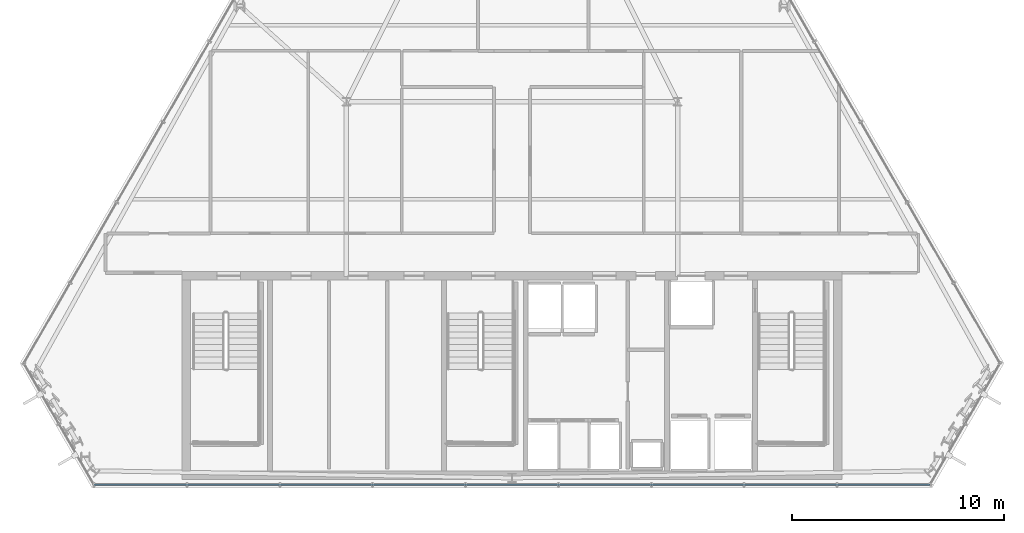
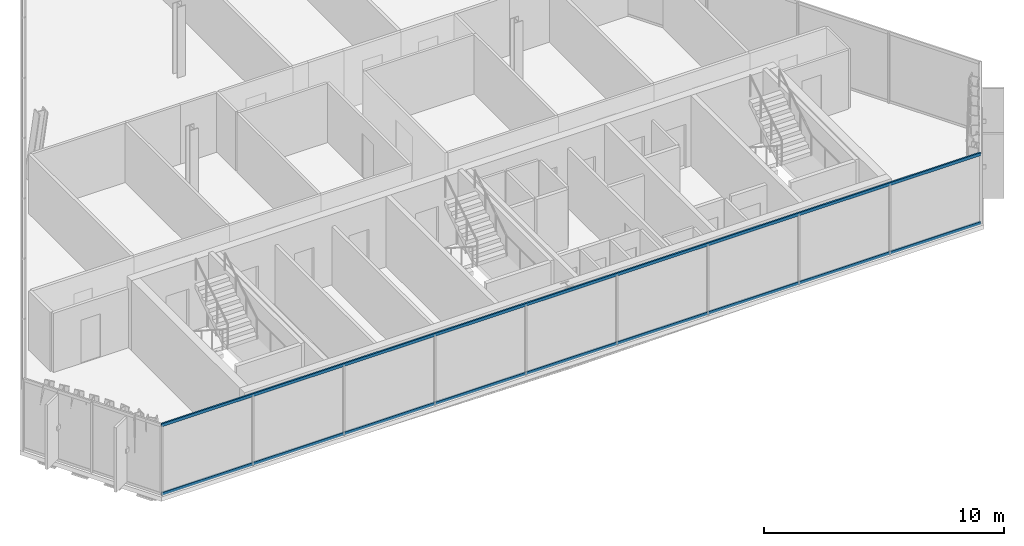
# One storey, part 7 of 29: 2 members, 1 element without a shape of its own.
"""IFC4 building model written with IfcOpenShell, lengths in metres."""

from ifc_helpers import new_model, si_unit, direction, frame, origin, origin_2d, place, context, subcontext, project, spatial, hollow_rectangle, extrude, material, layer, layer_set, material_profile, profile_set, type_object, element, aggregate, save


model = new_model("IFC4")

# Units and contexts
model_context = context("Model", 3, precision=1e-05, world=origin(), true_north=direction((0.0, 1.0)))
body_context = subcontext(model_context, "Body", "Model", "MODEL_VIEW")
ifc_project = project(units=[si_unit("LENGTHUNIT", "METRE"), si_unit("AREAUNIT", "SQUARE_METRE"), si_unit("VOLUMEUNIT", "CUBIC_METRE"), si_unit("PLANEANGLEUNIT", "RADIAN"), si_unit("MASSUNIT", "GRAM", prefix="KILO")], contexts=[model_context])

# Site, building, storey
site_placement = place(None, origin())
site = spatial("IfcSite", under=ifc_project, at=site_placement, CompositionType="ELEMENT")
building_placement = place(site_placement, origin())
building = spatial("IfcBuilding", under=site, at=building_placement, Name="Ndaravel Arena Tower", CompositionType="ELEMENT")
storey_placement = place(building_placement, frame((0.0, 0.0, 248.39990234375)))
storey = spatial("IfcBuildingStorey", under=building, at=storey_placement, Name="L60", CompositionType="ELEMENT", Elevation=248.39990234375)

# Curtain wall, members
ifc_material_1 = material(Name="Aluminium", Category="aluminium")
ifc_layer = layer(ifc_material_1, 0.179931640625)
ifc_layer_set = layer_set([ifc_layer], Name="Aluminium")
curtain_wall_type = type_object("IfcCurtainWallType", Name="CW-SYS-03", PredefinedType="NOTDEFINED", material=ifc_layer_set)
curtain_wall_placement = place(storey_placement, origin())
curtain_wall = element("IfcCurtainWall", 1, at=curtain_wall_placement, inside=storey, type_object=curtain_wall_type, Name="L60 Faceted Crystal Curtain Wall CW-L60-E01", PredefinedType="NOTDEFINED")
ifc_material_2 = material(Name="Aluminium", Category="aluminium")
ifc_material_profile = material_profile(ifc_material_2, hollow_rectangle(XDim=0.074951171875, YDim=0.14990234375, WallThickness=0.00390625, at=origin_2d()), Name="CW TRANSOM 75x150x4")
ifc_profile_set = profile_set([ifc_material_profile], Name="Aluminium")
member_type = type_object("IfcMemberType", Name="MEM-CW-TRN150", PredefinedType="USERDEFINED", material=ifc_profile_set)
member_1_placement = place(storey_placement, frame((22.30810546875, 5.159912109375, 0.0400390625), z_axis=(1.0, 0.0, 0.0), x_axis=(0.0, 1.0, 0.0)))
member_1 = element("IfcMember", 2, at=member_1_placement, type_object=member_type, Name="CW-L60-E01 Transom 01", ObjectType="TRANSOM", PredefinedType="USERDEFINED", context=body_context, shape_type="SweptSolid", body=[
    extrude(hollow_rectangle(XDim=0.074951171875, YDim=0.14990234375, WallThickness=0.00390625, at=origin_2d()), origin(), (0.0, 0.0, 1.0), 39.3837890625),
])
member_2_placement = place(storey_placement, frame((22.30810546875, 5.159912109375, 3.5400390625), z_axis=(1.0, 0.0, 0.0), x_axis=(0.0, 1.0, 0.0)))
member_2 = element("IfcMember", 3, at=member_2_placement, type_object=member_type, Name="CW-L60-E01 Transom 02", ObjectType="TRANSOM", PredefinedType="USERDEFINED", context=body_context, shape_type="SweptSolid", body=[
    extrude(hollow_rectangle(XDim=0.074951171875, YDim=0.14990234375, WallThickness=0.00390625, at=origin_2d()), origin(), (0.0, 0.0, 1.0), 39.3837890625),
])
aggregate(curtain_wall, [member_1, member_2])

save(model, "model.ifc")
